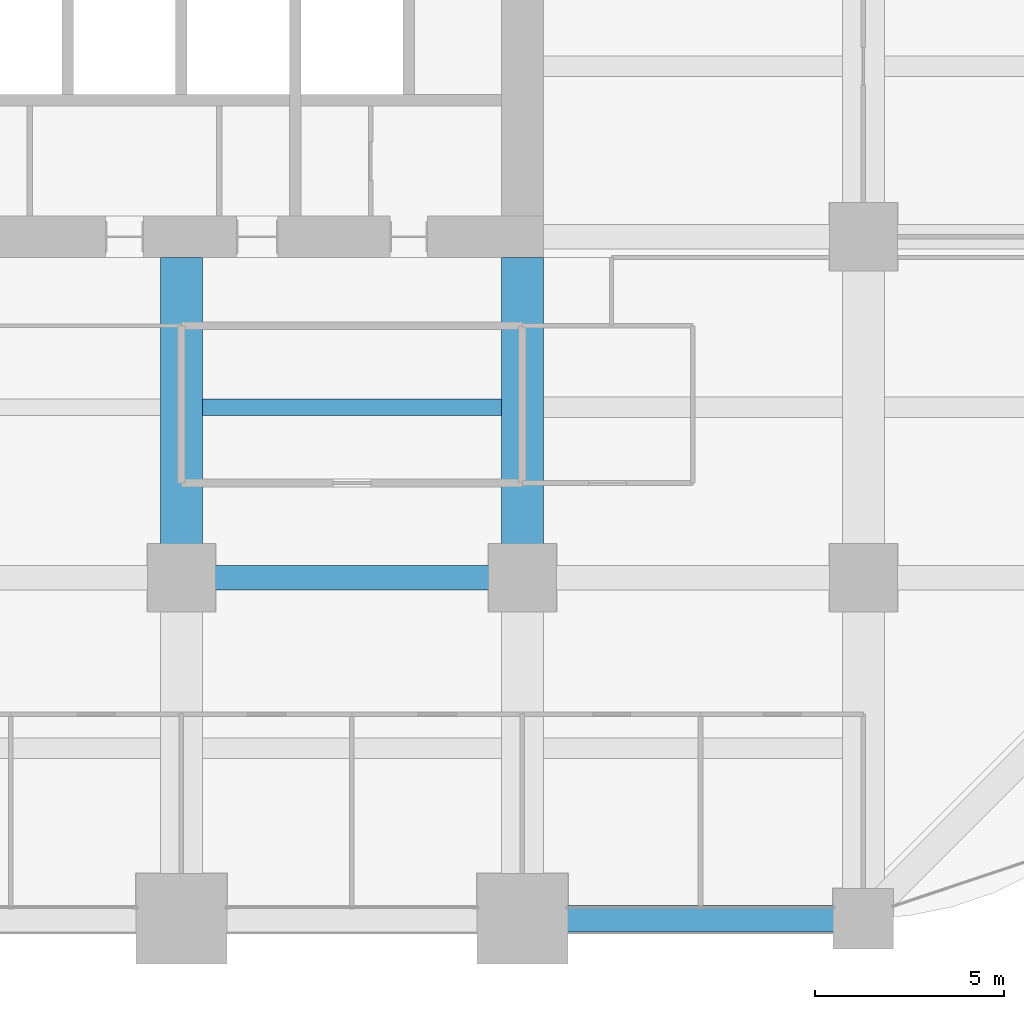
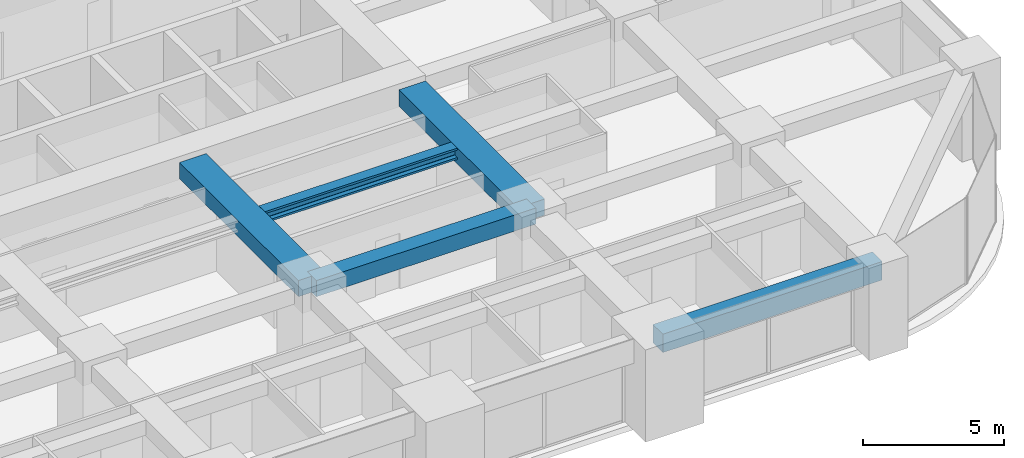
# One storey, part 15 of 40: 5 beams.
"""IFC4 building model written with IfcOpenShell, lengths in metres."""

from ifc_helpers import new_model, si_unit, direction, frame, origin, origin_2d, place, context, subcontext, project, spatial, rectangle, i_section, extrude, material, material_profile, profile_set, type_object, element, save


model = new_model("IFC4")

# Units and contexts
model_context = context("Model", 3, precision=1e-05, world=origin(), true_north=direction((0.0, 1.0)))
body_context = subcontext(model_context, "Body", "Model", "MODEL_VIEW")
ifc_project = project(units=[si_unit("LENGTHUNIT", "METRE"), si_unit("AREAUNIT", "SQUARE_METRE"), si_unit("VOLUMEUNIT", "CUBIC_METRE"), si_unit("PLANEANGLEUNIT", "RADIAN"), si_unit("MASSUNIT", "GRAM", prefix="KILO")], contexts=[model_context])

# Site, building, storey
site_placement = place(None, origin())
site = spatial("IfcSite", under=ifc_project, at=site_placement, CompositionType="ELEMENT")
building_placement = place(site_placement, origin())
building = spatial("IfcBuilding", under=site, at=building_placement, Name="Zorevar Civic Tower", CompositionType="ELEMENT")
storey_placement = place(building_placement, frame((0.0, 0.0, 129.0)))
storey = spatial("IfcBuildingStorey", under=building, at=storey_placement, Name="L31", CompositionType="ELEMENT", Elevation=129.0)

# Beams
ifc_material_1 = material(Name="Concrete C50/60", Category="concrete")
ifc_material_profile_1 = material_profile(ifc_material_1, rectangle(XDim=1.10009765625, YDim=0.699951171875, at=origin_2d()), Name="RC 1100x700")
ifc_profile_set_1 = profile_set([ifc_material_profile_1], Name="Concrete C50/60")
beam_type_1 = type_object("IfcBeamType", Name="Beam RC 1100x700", PredefinedType="BEAM", material=ifc_profile_set_1)
for number, where, z_axis, x_axis, name in (
    (1, (36.0, 9.0, 3.39990234375), (0.0, 1.0, 0.0), (-1.0, 0.0, 0.0), "Girder L32"),
    (2, (45.0, 9.0, 3.39990234375), (0.0, 1.0, 0.0), (-1.0, 0.0, 0.0), "Girder L32"),
):
    element("IfcBeam", number, at=place(storey_placement, frame(where, z_axis=z_axis, x_axis=x_axis)), inside=storey, type_object=beam_type_1, Name=name, PredefinedType="BEAM", context=body_context, shape_type="SweptSolid", body=[
        extrude(rectangle(XDim=1.10009765625, YDim=0.699951171875, at=origin_2d()), origin(), (0.0, 0.0, 1.0), 8.449951171875),
    ])
ifc_material_2 = material(Name="Concrete C50/60", Category="concrete")
ifc_material_profile_2 = material_profile(ifc_material_2, rectangle(XDim=0.64990234375, YDim=0.699951171875, at=origin_2d()), Name="RC 650x700")
ifc_profile_set_2 = profile_set([ifc_material_profile_2], Name="Concrete C50/60")
beam_type_2 = type_object("IfcBeamType", Name="Beam RC 650x700", PredefinedType="BEAM", material=ifc_profile_set_2)
beam_1_placement = place(storey_placement, frame((36.0, 9.0, 3.39990234375), z_axis=(1.0, 0.0, 0.0), x_axis=(0.0, 1.0, 0.0)))
element("IfcBeam", 3, at=beam_1_placement, inside=storey, type_object=beam_type_2, Name="Girder L32", PredefinedType="BEAM", context=body_context, shape_type="SweptSolid", body=[
    extrude(rectangle(XDim=0.64990234375, YDim=0.699951171875, at=origin_2d()), origin(), (0.0, 0.0, 1.0), 9.0),
])
ifc_material_3 = material(Name="Steel S460M (HISTAR 460)", Category="steel")
ifc_material_profile_3 = material_profile(ifc_material_3, i_section(OverallWidth=0.431884765625, OverallDepth=0.498046875, WebThickness=0.0556640625, FlangeThickness=0.0888671875, FilletRadius=0.014892578125, at=origin_2d()), Name="HD 400x744")
ifc_profile_set_3 = profile_set([ifc_material_profile_3], Name="Steel S460M (HISTAR 460)")
beam_type_3 = type_object("IfcBeamType", Name="Core bay beam HD 400x744", PredefinedType="BEAM", material=ifc_profile_set_3)
beam_2_placement = place(storey_placement, frame((36.550048828125, 13.5, 3.5009765625), z_axis=(1.0, 0.0, 0.0), x_axis=(0.0, 1.0, 0.0)))
element("IfcBeam", 4, at=beam_2_placement, inside=storey, type_object=beam_type_3, Name="Secondary beam L32", PredefinedType="BEAM", context=body_context, shape_type="SweptSolid", body=[
    extrude(i_section(OverallWidth=0.431884765625, OverallDepth=0.498046875, WebThickness=0.0556640625, FlangeThickness=0.0888671875, FilletRadius=0.014892578125, at=origin_2d()), origin(), (0.0, 0.0, 1.0), 7.89990234375),
])
ifc_material_4 = material(Name="Concrete C50/60", Category="concrete")
ifc_material_profile_4 = material_profile(ifc_material_4, rectangle(XDim=0.699951171875, YDim=0.800048828125, at=origin_2d()), Name="RC 700x800")
ifc_profile_set_4 = profile_set([ifc_material_profile_4], Name="Concrete C50/60")
beam_type_4 = type_object("IfcBeamType", Name="Edge beam RC 700x800", PredefinedType="SPANDREL", material=ifc_profile_set_4)
beam_3_placement = place(storey_placement, frame((45.0, 0.0, 3.35009765625), z_axis=(1.0, 0.0, 0.0), x_axis=(0.0, 1.0, 0.0)))
element("IfcBeam", 5, at=beam_3_placement, inside=storey, type_object=beam_type_4, Name="Edge beam L32", PredefinedType="SPANDREL", context=body_context, shape_type="SweptSolid", body=[
    extrude(rectangle(XDim=0.699951171875, YDim=0.800048828125, at=origin_2d()), origin(), (0.0, 0.0, 1.0), 9.0),
])

save(model, "model.ifc")
